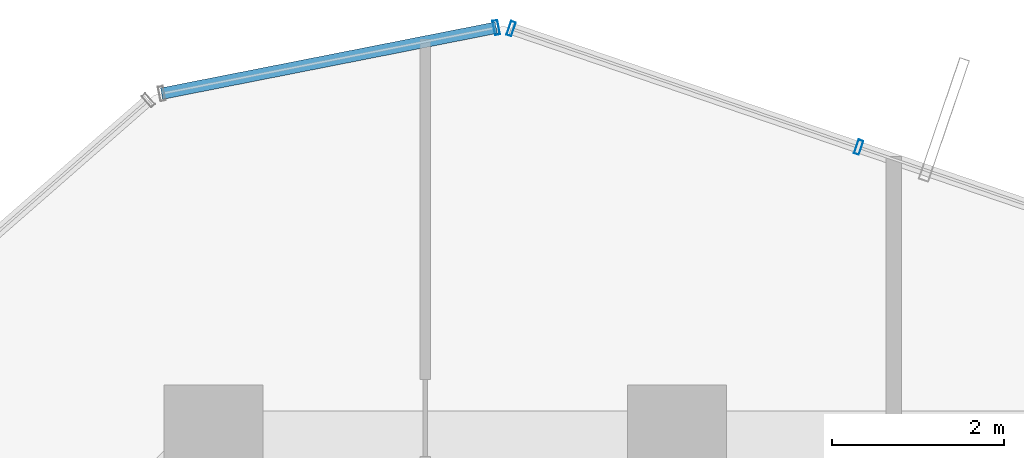
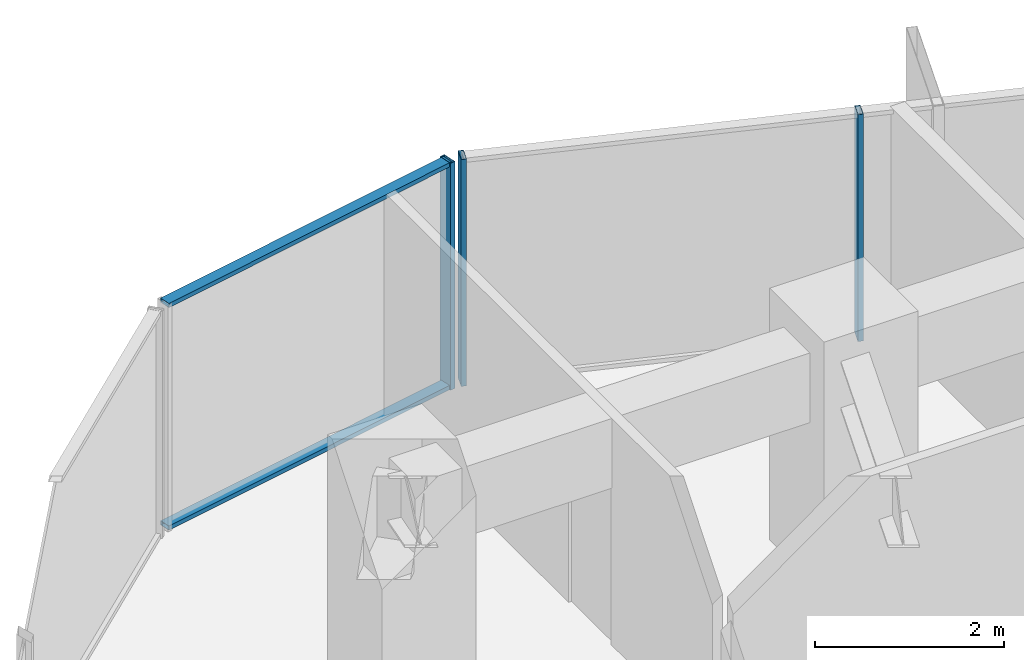
# One storey, part 28 of 36: 5 members, 2 elements without a shape of their own.
"""IFC4 building model written with IfcOpenShell, lengths in metres."""

from ifc_helpers import new_model, si_unit, direction, frame, origin, origin_2d, place, context, subcontext, project, spatial, hollow_rectangle, extrude, source, transform, mapped, material, layer, layer_set, material_profile, profile_set, type_object, element, aggregate, save


model = new_model("IFC4")

# Units and contexts
model_context = context("Model", 3, precision=1e-05, world=origin(), true_north=direction((0.0, 1.0)))
body_context = subcontext(model_context, "Body", "Model", "MODEL_VIEW")
ifc_project = project(units=[si_unit("LENGTHUNIT", "METRE"), si_unit("AREAUNIT", "SQUARE_METRE"), si_unit("VOLUMEUNIT", "CUBIC_METRE"), si_unit("PLANEANGLEUNIT", "RADIAN"), si_unit("MASSUNIT", "GRAM", prefix="KILO")], contexts=[model_context])

# Site, building, storey
site_placement = place(None, origin())
site = spatial("IfcSite", under=ifc_project, at=site_placement, CompositionType="ELEMENT")
building_placement = place(site_placement, origin())
building = spatial("IfcBuilding", under=site, at=building_placement, Name="Veraguas Prism Commons", CompositionType="ELEMENT")
storey_placement = place(building_placement, frame((0.0, 0.0, 166.300048828125)))
storey = spatial("IfcBuildingStorey", under=building, at=storey_placement, Name="L47", CompositionType="ELEMENT", Elevation=166.300048828125)

# Curtain wall, members
ifc_material = material(Name="Anodised aluminium EN AW-6063 T6", Category="aluminium")
ifc_layer = layer(ifc_material, 0.169921875, Name="Unitised Flush Curtain Wall Zone 2", Category="aluminium")
ifc_layer_set = layer_set([ifc_layer], Name="Anodised aluminium EN AW-6063 T6")
curtain_wall_type = type_object("IfcCurtainWallType", Name="Unitised Flush Curtain Wall Zone 2", PredefinedType="NOTDEFINED", material=ifc_layer_set)
curtain_wall_1_placement = place(storey_placement, origin())
curtain_wall_1 = element("IfcCurtainWall", 1, at=curtain_wall_1_placement, inside=storey, type_object=curtain_wall_type, Name="Tower Facade Curtain Wall L47-F1", PredefinedType="NOTDEFINED")
ifc_material_profile_1 = material_profile(ifc_material, hollow_rectangle(XDim=0.06005859375, YDim=0.169921875, WallThickness=0.00390625, at=origin_2d()), Name="AL60X170X4")
ifc_profile_set_1 = profile_set([ifc_material_profile_1], Name="Anodised aluminium EN AW-6063 T6")
member_type_1 = type_object("IfcMemberType", Name="Curtain Wall Mullion Lower AL 60x170x4", PredefinedType="MULLION", material=ifc_profile_set_1)
shared_shape_1 = source(origin(), body_context, "Body", "SweptSolid", [
    extrude(hollow_rectangle(XDim=0.06005859375, YDim=0.169921875, WallThickness=0.00390625, at=origin_2d()), origin(), (0.0, 0.0, 1.0), 2.929931640625),
])
member_1_placement = place(storey_placement, frame((26.11669921875, 43.546142578125, 0.0), z_axis=(0.0, 0.0, 1.0), x_axis=(-0.946424609155, 0.322924850679, 0.0)))
member_1 = element("IfcMember", 2, at=member_1_placement, type_object=member_type_1, Name="CW-Z2 Mullion 4", PredefinedType="MULLION", context=body_context, shape_type="MappedRepresentation", body=[
    mapped(shared_shape_1, transform((0.0, 0.0, 0.0), scale=1.0)),
])
member_2_placement = place(storey_placement, frame((22.0673828125, 44.927734375, 0.0), z_axis=(0.0, 0.0, 1.0), x_axis=(-0.946424609155, 0.322924850679, 0.0)))
member_2 = element("IfcMember", 3, at=member_2_placement, type_object=member_type_1, Name="CW-Z2 Mullion 5", PredefinedType="MULLION", context=body_context, shape_type="MappedRepresentation", body=[
    mapped(shared_shape_1, transform((0.0, 0.0, 0.0), scale=1.0)),
])
aggregate(curtain_wall_1, [member_1, member_2])

curtain_wall_2_placement = place(storey_placement, origin())
curtain_wall_2 = element("IfcCurtainWall", 4, at=curtain_wall_2_placement, inside=storey, type_object=curtain_wall_type, Name="Chamfer Curtain Wall L47-C2", PredefinedType="NOTDEFINED")
member_3_placement = place(storey_placement, frame((21.893798828125, 44.939453125, 0.0), z_axis=(0.0, 0.0, 1.0), x_axis=(-0.981090517443, -0.193549468051, 0.0)))
member_3 = element("IfcMember", 5, at=member_3_placement, type_object=member_type_1, Name="CW-Z2 Mullion 1", PredefinedType="MULLION", context=body_context, shape_type="MappedRepresentation", body=[
    mapped(shared_shape_1, transform((0.0, 0.0, 0.0), scale=1.0)),
])
ifc_material_profile_2 = material_profile(ifc_material, hollow_rectangle(XDim=0.054931640625, YDim=0.135009765625, WallThickness=0.0029296875, at=origin_2d()), Name="AL55X135X3")
ifc_profile_set_2 = profile_set([ifc_material_profile_2], Name="Anodised aluminium EN AW-6063 T6")
member_type_2 = type_object("IfcMemberType", Name="Curtain Wall Transom Standard AL 55x135x3", PredefinedType="USERDEFINED", material=ifc_profile_set_2)
shared_shape_2 = source(origin(), body_context, "Body", "SweptSolid", [
    extrude(hollow_rectangle(XDim=0.054931640625, YDim=0.135009765625, WallThickness=0.0029296875, at=origin_2d()), origin(), (0.0, 0.0, 1.0), 3.97314453125),
])
member_4_placement = place(storey_placement, frame((21.893798828125, 44.939453125, 0.02734375), z_axis=(-0.9810878494, -0.193562991708, 0.0), x_axis=(0.0, 0.0, 1.0)))
member_4 = element("IfcMember", 6, at=member_4_placement, type_object=member_type_2, Name="CW-Z2 Transom 1", ObjectType="TRANSOM", PredefinedType="USERDEFINED", context=body_context, shape_type="MappedRepresentation", body=[
    mapped(shared_shape_2, transform((0.0, 0.0, 0.0), scale=1.0)),
])
member_5_placement = place(storey_placement, frame((21.893798828125, 44.939453125, 2.90234375), z_axis=(-0.9810878494, -0.193562991708, 0.0), x_axis=(0.0, 0.0, 1.0)))
member_5 = element("IfcMember", 7, at=member_5_placement, type_object=member_type_2, Name="CW-Z2 Transom 2", ObjectType="TRANSOM", PredefinedType="USERDEFINED", context=body_context, shape_type="MappedRepresentation", body=[
    mapped(shared_shape_2, transform((0.0, 0.0, 0.0), scale=1.0)),
])
aggregate(curtain_wall_2, [member_3, member_4, member_5])

save(model, "model.ifc")
